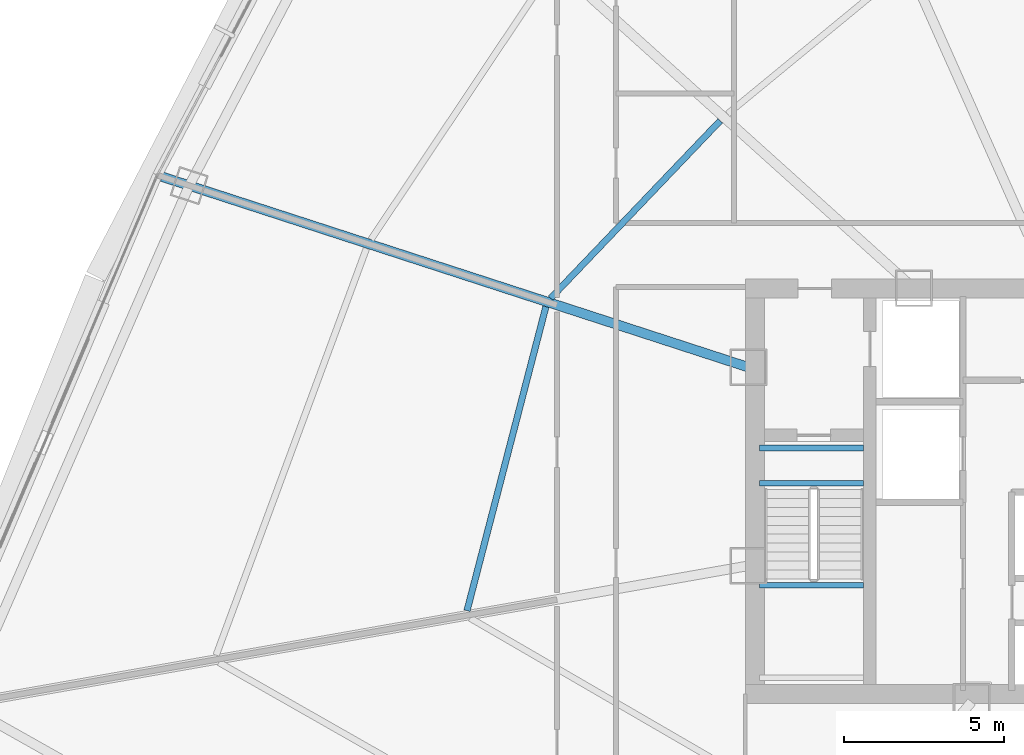
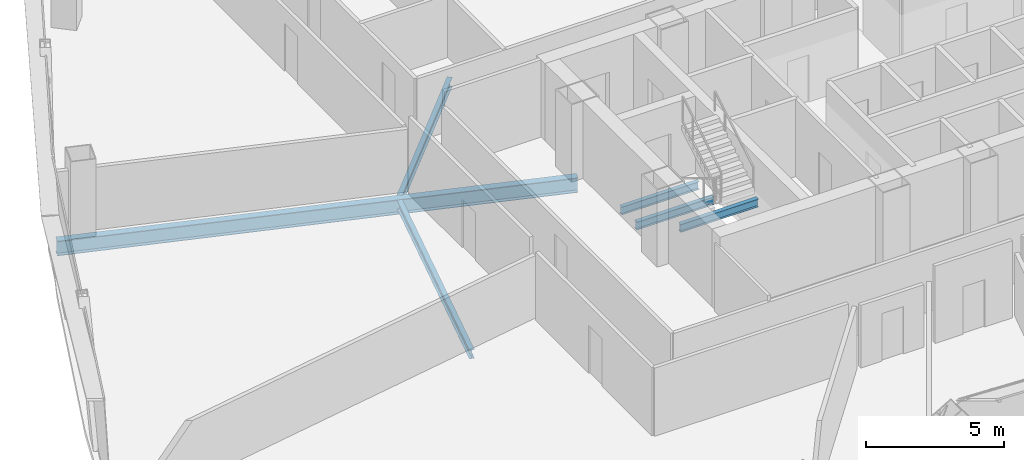
# One storey, part 9 of 39: 6 beams.
"""IFC4 building model written with IfcOpenShell, lengths in metres."""

from ifc_helpers import new_model, si_unit, direction, frame, origin, origin_2d, place, context, subcontext, project, spatial, i_section, extrude, source, transform, mapped, material, material_profile, profile_set, type_object, element, save


model = new_model("IFC4")

# Units and contexts
model_context = context("Model", 3, precision=1e-05, world=origin(), true_north=direction((0.0, 1.0)))
body_context = subcontext(model_context, "Body", "Model", "MODEL_VIEW")
ifc_project = project(units=[si_unit("LENGTHUNIT", "METRE"), si_unit("AREAUNIT", "SQUARE_METRE"), si_unit("VOLUMEUNIT", "CUBIC_METRE"), si_unit("PLANEANGLEUNIT", "RADIAN"), si_unit("MASSUNIT", "GRAM", prefix="KILO"), si_unit("THERMODYNAMICTEMPERATUREUNIT", "KELVIN"), si_unit("POWERUNIT", "WATT")], contexts=[model_context])

# Site, building, storey
site_placement = place(None, origin())
site = spatial("IfcSite", under=ifc_project, at=site_placement, CompositionType="ELEMENT")
building_placement = place(site_placement, origin())
building = spatial("IfcBuilding", under=site, at=building_placement, Name="Yunzhuo Pagoda Commons", CompositionType="ELEMENT")
storey_placement = place(building_placement, frame((0.0, 0.0, 162.949951171875)))
storey = spatial("IfcBuildingStorey", under=building, at=storey_placement, Name="L41", CompositionType="ELEMENT", Elevation=162.949951171875)

# Beams
ifc_material = material(Name="Structural steel Q355B", Category="steel")
ifc_material_profile_1 = material_profile(ifc_material, i_section(OverallWidth=0.175048828125, OverallDepth=0.35009765625, WebThickness=0.007080078125, FlangeThickness=0.010986328125, at=origin_2d()), Name="Structural steel Q355B")
ifc_profile_set_1 = profile_set([ifc_material_profile_1], Name="Structural steel Q355B")
beam_type_1 = type_object("IfcBeamType", Name="B-JS2 Joist HN 350x175x7x11", PredefinedType="JOIST", material=ifc_profile_set_1)
shared_shape_1 = source(origin(), body_context, "Body", "SweptSolid", [
    extrude(i_section(OverallWidth=0.175048828125, OverallDepth=0.35009765625, WebThickness=0.007080078125, FlangeThickness=0.010986328125, at=origin_2d()), origin(), (0.0, 0.0, 1.0), 3.25),
])
for number, where, z_axis, x_axis, name in (
    (1, (35.949951171875, 30.89990234375, 1.465087890625), (1.0, 0.0, 0.0), (0.0, 1.0, 0.0), "L41 ST1 landing support beam 47B"),
    (2, (35.949951171875, 34.10009765625, -0.375), (1.0, 0.0, 0.0), (0.0, 1.0, 0.0), "L41 ST1 landing support beam 145A"),
    (3, (35.949951171875, 35.199951171875, -0.375), (1.0, 0.0, 0.0), (0.0, 1.0, 0.0), "L41 ST1 landing support beam 145B"),
):
    element("IfcBeam", number, at=place(storey_placement, frame(where, z_axis=z_axis, x_axis=x_axis)), inside=storey, type_object=beam_type_1, Name=name, PredefinedType="JOIST", context=body_context, shape_type="MappedRepresentation", body=[
        mapped(shared_shape_1, transform((0.0, 0.0, 0.0), scale=1.0)),
    ])
ifc_material_profile_2 = material_profile(ifc_material, i_section(OverallWidth=0.199951171875, OverallDepth=0.39990234375, WebThickness=0.008056640625, FlangeThickness=0.012939453125, at=origin_2d()), Name="Structural steel Q355B")
ifc_profile_set_2 = profile_set([ifc_material_profile_2], Name="Structural steel Q355B")
beam_type_2 = type_object("IfcBeamType", Name="B-JS1 Joist HN 400x200x8x13", PredefinedType="JOIST", material=ifc_profile_set_2)
shared_shape_2 = source(origin(), body_context, "Body", "SweptSolid", [
    extrude(i_section(OverallWidth=0.199951171875, OverallDepth=0.39990234375, WebThickness=0.008056640625, FlangeThickness=0.012939453125, at=origin_2d()), origin(), (0.0, 0.0, 1.0), 9.8330078125),
])
beam_1_placement = place(storey_placement, frame((29.254638671875, 39.623779296875, -0.4599609375), z_axis=(-0.251166367041, -0.967943932295, 0.0), x_axis=(0.967943932295, -0.251166367041, 0.0)))
element("IfcBeam", 4, at=beam_1_placement, inside=storey, type_object=beam_type_2, Name="L41 composite ring joist 1.11", PredefinedType="JOIST", context=body_context, shape_type="MappedRepresentation", body=[
    mapped(shared_shape_2, transform((0.0, 0.0, 0.0), scale=1.0)),
])
shared_shape_3 = source(origin(), body_context, "Body", "SweptSolid", [
    extrude(i_section(OverallWidth=0.199951171875, OverallDepth=0.39990234375, WebThickness=0.008056640625, FlangeThickness=0.012939453125, at=origin_2d()), origin(), (0.0, 0.0, 1.0), 7.685546875),
])
beam_2_placement = place(storey_placement, frame((34.714111328125, 45.448974609375, -0.4599609375), z_axis=(-0.690882862648, -0.722966714378, 0.0), x_axis=(0.722966714378, -0.690882862648, 0.0)))
element("IfcBeam", 5, at=beam_2_placement, inside=storey, type_object=beam_type_2, Name="L41 composite ring joist 1.10", PredefinedType="JOIST", context=body_context, shape_type="MappedRepresentation", body=[
    mapped(shared_shape_3, transform((0.0, 0.0, 0.0), scale=1.0)),
])
ifc_material_profile_3 = material_profile(ifc_material, i_section(OverallWidth=0.300048828125, OverallDepth=0.64990234375, WebThickness=0.012939453125, FlangeThickness=0.02197265625, at=origin_2d()), Name="Structural steel Q355B")
ifc_profile_set_3 = profile_set([ifc_material_profile_3], Name="Structural steel Q355B")
beam_type_3 = type_object("IfcBeamType", Name="B-RG2 Beam HN 650x300x13x22", PredefinedType="BEAM", material=ifc_profile_set_3)
shared_shape_4 = source(origin(), body_context, "Body", "SweptSolid", [
    extrude(i_section(OverallWidth=0.300048828125, OverallDepth=0.64990234375, WebThickness=0.012939453125, FlangeThickness=0.02197265625, at=origin_2d()), origin(), (0.0, 0.0, 1.0), 19.31201171875),
])
beam_3_placement = place(storey_placement, frame((17.2333984375, 43.69677734375, -0.5849609375), z_axis=(0.951055434175, -0.309020324777, 0.0), x_axis=(0.309020324777, 0.951055434175, 0.0)))
element("IfcBeam", 6, at=beam_3_placement, inside=storey, type_object=beam_type_3, Name="L41 radial floor girder F3C3", PredefinedType="BEAM", context=body_context, shape_type="MappedRepresentation", body=[
    mapped(shared_shape_4, transform((0.0, 0.0, 0.0), scale=1.0)),
])

save(model, "model.ifc")
